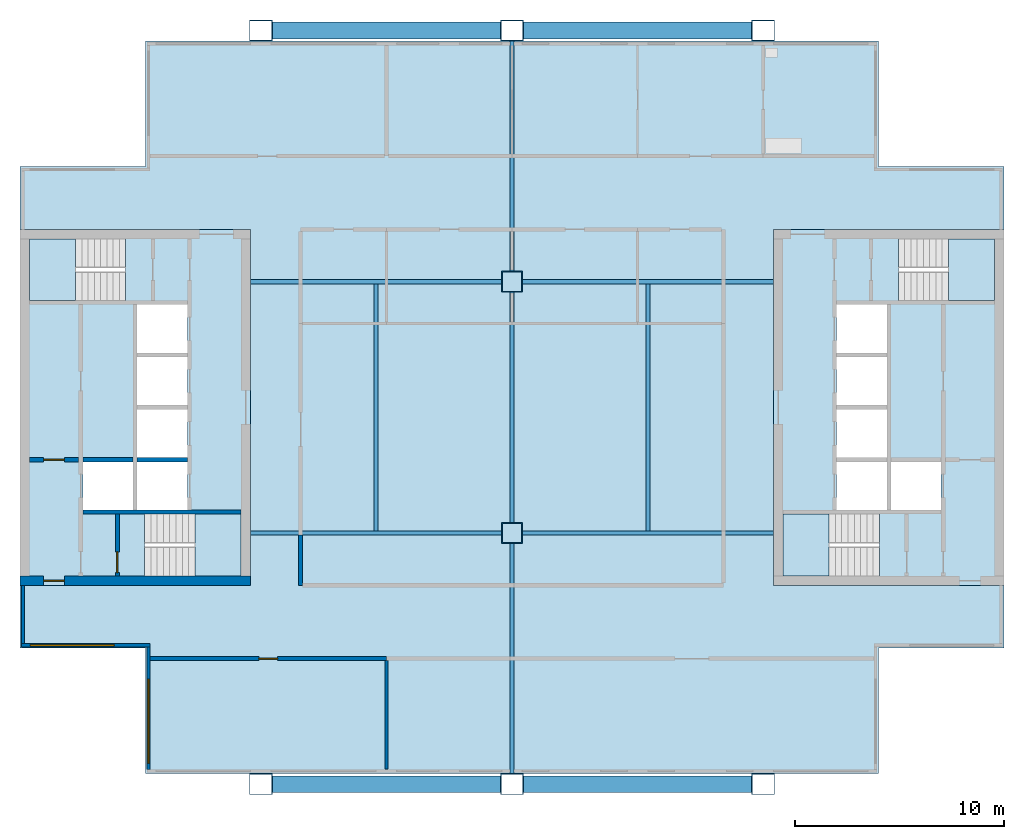
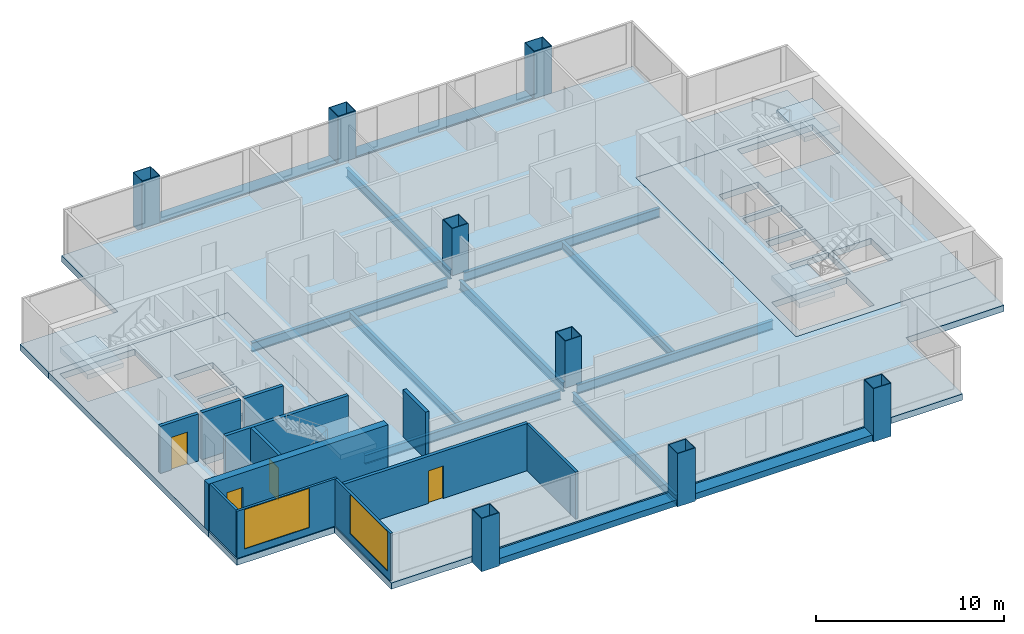
# One storey, part 1 of 7: 13 beams, 12 walls, 8 columns, 7 slabs, 4 doors, 2 windows, 6 openings, 4 elements without a shape of their own.
"""IFC4 building model written with IfcOpenShell, lengths in metres."""

from ifc_helpers import new_model, si_unit, direction, frame, frame_2d, origin, origin_2d, place, context, subcontext, project, spatial, polyline, rectangle, hollow_rectangle, i_section, outline, extrude, material, layer, layer_set, material_profile, profile_set, type_object, element, fill, aggregate, save


model = new_model("IFC4")

# Units and contexts
model_context = context("Model", 3, precision=1e-05, world=origin(), true_north=direction((0.0, 1.0)))
body_context = subcontext(model_context, "Body", "Model", "MODEL_VIEW")
ifc_project = project(units=[si_unit("LENGTHUNIT", "METRE"), si_unit("AREAUNIT", "SQUARE_METRE"), si_unit("VOLUMEUNIT", "CUBIC_METRE"), si_unit("PLANEANGLEUNIT", "RADIAN"), si_unit("MASSUNIT", "GRAM", prefix="KILO")], contexts=[model_context])

# Site, building, storey
site_placement = place(None, origin())
site = spatial("IfcSite", under=ifc_project, at=site_placement, CompositionType="ELEMENT")
building_placement = place(site_placement, origin())
building = spatial("IfcBuilding", under=site, at=building_placement, Name="Kitamizu Gate Tower and Museum", CompositionType="ELEMENT")
storey_placement = place(building_placement, frame((0.0, 0.0, 242.10009765625)))
storey = spatial("IfcBuildingStorey", under=building, at=storey_placement, Name="L65", CompositionType="ELEMENT", Elevation=242.10009765625)

# Columns
ifc_material_1 = material(Name="Steel SM490A bronze coated", Category="steel")
ifc_material_profile_1 = material_profile(ifc_material_1, hollow_rectangle(XDim=1.10009765625, YDim=1.0, WallThickness=0.0400390625, at=origin_2d()), Name="BOX 1100x1000x40")
ifc_profile_set_1 = profile_set([ifc_material_profile_1], Name="Steel SM490A bronze coated")
column_type_1 = type_object("IfcColumnType", Name="Exoskeleton column XC8 BOX 1100x1000x40", PredefinedType="COLUMN", material=ifc_profile_set_1)
for number, where, z_axis, x_axis, name in (
    (1, (24.0, 12.0, -0.400146484375), (0.0, 0.0, 1.0), (1.0, 0.0, 0.0), "Column XC8 3B L65"),
    (2, (24.0, 48.0, -0.400146484375), (0.0, 0.0, 1.0), (1.0, 0.0, 0.0), "Column XC8 3E L65"),
    (3, (36.0, 12.0, -0.400146484375), (0.0, 0.0, 1.0), (1.0, 0.0, 0.0), "Column XC8 4B L65"),
    (4, (36.0, 48.0, -0.400146484375), (0.0, 0.0, 1.0), (1.0, 0.0, 0.0), "Column XC8 4E L65"),
    (5, (48.0, 12.0, -0.400146484375), (0.0, 0.0, 1.0), (1.0, 0.0, 0.0), "Column XC8 5B L65"),
    (6, (48.0, 48.0, -0.400146484375), (0.0, 0.0, 1.0), (1.0, 0.0, 0.0), "Column XC8 5E L65"),
):
    element("IfcColumn", number, at=place(storey_placement, frame(where, z_axis=z_axis, x_axis=x_axis)), inside=storey, type_object=column_type_1, Name=name, PredefinedType="COLUMN", context=body_context, shape_type="SweptSolid", body=[
        extrude(hollow_rectangle(XDim=1.10009765625, YDim=1.0, WallThickness=0.0400390625, at=origin_2d()), origin(), (0.0, 0.0, 1.0), 3.449951171875),
    ])
ifc_material_2 = material(Name="Steel SM490A", Category="steel")
ifc_material_profile_2 = material_profile(ifc_material_2, hollow_rectangle(XDim=1.0, YDim=1.0, WallThickness=0.0400390625, at=origin_2d()), Name="BOX 1000x1000x40")
ifc_profile_set_2 = profile_set([ifc_material_profile_2], Name="Steel SM490A")
column_type_2 = type_object("IfcColumnType", Name="Interior column IC5 BOX 1000x1000x40", PredefinedType="COLUMN", material=ifc_profile_set_2)
for number, where, z_axis, x_axis, name in (
    (7, (36.0, 24.0, 0.0), (0.0, 0.0, 1.0), (1.0, 0.0, 0.0), "Column IC5 4C L65"),
    (8, (36.0, 36.0, 0.0), (0.0, 0.0, 1.0), (1.0, 0.0, 0.0), "Column IC5 4D L65"),
):
    element("IfcColumn", number, at=place(storey_placement, frame(where, z_axis=z_axis, x_axis=x_axis)), inside=storey, type_object=column_type_2, Name=name, PredefinedType="COLUMN", context=body_context, shape_type="SweptSolid", body=[
        extrude(hollow_rectangle(XDim=1.0, YDim=1.0, WallThickness=0.0400390625, at=origin_2d()), origin(), (0.0, 0.0, 1.0), 3.0498046875),
    ])

# Beams
ifc_material_3 = material(Name="Steel SM490A bronze coated", Category="steel")
ifc_material_profile_3 = material_profile(ifc_material_3, hollow_rectangle(XDim=0.800048828125, YDim=0.39990234375, WallThickness=0.0400390625, at=origin_2d()), Name="BOX 800x400x40")
ifc_profile_set_3 = profile_set([ifc_material_profile_3], Name="Steel SM490A bronze coated")
beam_type_1 = type_object("IfcBeamType", Name="Exoskeleton spandrel beam SB1 BOX 800x400x40", PredefinedType="SPANDREL", material=ifc_profile_set_3)
for number, where, z_axis, x_axis, name in (
    (9, (24.550048828125, 12.0, -0.2001953125), (1.0, 0.0, 0.0), (0.0, 1.0, 0.0), "Exoskeleton spandrel beam south 24 L65"),
    (10, (36.550048828125, 12.0, -0.2001953125), (1.0, 0.0, 0.0), (0.0, 1.0, 0.0), "Exoskeleton spandrel beam south 36 L65"),
    (11, (24.550048828125, 48.0, -0.2001953125), (1.0, 0.0, 0.0), (0.0, 1.0, 0.0), "Exoskeleton spandrel beam north 24 L65"),
    (12, (36.550048828125, 48.0, -0.2001953125), (1.0, 0.0, 0.0), (0.0, 1.0, 0.0), "Exoskeleton spandrel beam north 36 L65"),
):
    element("IfcBeam", number, at=place(storey_placement, frame(where, z_axis=z_axis, x_axis=x_axis)), inside=storey, type_object=beam_type_1, Name=name, PredefinedType="SPANDREL", context=body_context, shape_type="SweptSolid", body=[
        extrude(hollow_rectangle(XDim=0.800048828125, YDim=0.39990234375, WallThickness=0.0400390625, at=origin_2d()), origin(), (0.0, 0.0, 1.0), 10.89990234375),
    ])
ifc_material_4 = material(Name="Steel SM490A", Category="steel")
ifc_material_profile_4 = material_profile(ifc_material_4, i_section(OverallWidth=0.199951171875, OverallDepth=0.5, WebThickness=0.010009765625, FlangeThickness=0.01611328125, FilletRadius=0.02001953125, at=origin_2d()), Name="H-500x200x10x16")
ifc_profile_set_4 = profile_set([ifc_material_profile_4], Name="Steel SM490A")
beam_type_2 = type_object("IfcBeamType", Name="Floor beam FB1 H 500x200x10x16", PredefinedType="BEAM", material=ifc_profile_set_4)
for number, where, z_axis, x_axis, name in (
    (13, (29.5, 24.10009765625, -0.650146484375), (0.0, 1.0, 0.0), (-1.0, 0.0, 0.0), "Floor beam FB1 L65-1"),
    (14, (42.5, 24.10009765625, -0.650146484375), (0.0, 1.0, 0.0), (-1.0, 0.0, 0.0), "Floor beam FB1 L65-2"),
):
    element("IfcBeam", number, at=place(storey_placement, frame(where, z_axis=z_axis, x_axis=x_axis)), inside=storey, type_object=beam_type_2, Name=name, PredefinedType="BEAM", context=body_context, shape_type="SweptSolid", body=[
        extrude(i_section(OverallWidth=0.199951171875, OverallDepth=0.5, WebThickness=0.010009765625, FlangeThickness=0.01611328125, FilletRadius=0.02001953125, at=origin_2d()), origin(), (0.0, 0.0, 1.0), 11.7998046875),
    ])
ifc_material_5 = material(Name="Steel SM490A", Category="steel")
ifc_material_profile_5 = material_profile(ifc_material_5, i_section(OverallWidth=0.199951171875, OverallDepth=0.60009765625, WebThickness=0.010986328125, FlangeThickness=0.01708984375, FilletRadius=0.02197265625, at=origin_2d()), Name="H-600x200x11x17")
ifc_profile_set_5 = profile_set([ifc_material_profile_5], Name="Steel SM490A")
beam_type_3 = type_object("IfcBeamType", Name="Floor girder FG1 H 600x200x11x17", PredefinedType="BEAM", material=ifc_profile_set_5)
for number, where, z_axis, x_axis, name in (
    (15, (36.0, 12.5, -0.7001953125), (0.0, 1.0, 0.0), (-1.0, 0.0, 0.0), "Floor girder FG1 x36 L65"),
    (16, (36.0, 24.5, -0.7001953125), (0.0, 1.0, 0.0), (-1.0, 0.0, 0.0), "Floor girder FG1 x36 L65"),
    (17, (36.0, 36.5, -0.7001953125), (0.0, 1.0, 0.0), (-1.0, 0.0, 0.0), "Floor girder FG1 x36 L65"),
):
    element("IfcBeam", number, at=place(storey_placement, frame(where, z_axis=z_axis, x_axis=x_axis)), inside=storey, type_object=beam_type_3, Name=name, PredefinedType="BEAM", context=body_context, shape_type="SweptSolid", body=[
        extrude(i_section(OverallWidth=0.199951171875, OverallDepth=0.60009765625, WebThickness=0.010986328125, FlangeThickness=0.01708984375, FilletRadius=0.02197265625, at=origin_2d()), origin(), (0.0, 0.0, 1.0), 11.0),
    ])
for number, where, z_axis, x_axis, name in (
    (18, (23.5, 24.0, -0.7001953125), (1.0, 0.0, 0.0), (0.0, 1.0, 0.0), "Floor girder FG1 y24 L65"),
    (19, (36.5, 24.0, -0.7001953125), (1.0, 0.0, 0.0), (0.0, 1.0, 0.0), "Floor girder FG1 y24 L65"),
    (20, (23.5, 36.0, -0.7001953125), (1.0, 0.0, 0.0), (0.0, 1.0, 0.0), "Floor girder FG1 y36 L65"),
    (21, (36.5, 36.0, -0.7001953125), (1.0, 0.0, 0.0), (0.0, 1.0, 0.0), "Floor girder FG1 y36 L65"),
):
    element("IfcBeam", number, at=place(storey_placement, frame(where, z_axis=z_axis, x_axis=x_axis)), inside=storey, type_object=beam_type_3, Name=name, PredefinedType="BEAM", context=body_context, shape_type="SweptSolid", body=[
        extrude(i_section(OverallWidth=0.199951171875, OverallDepth=0.60009765625, WebThickness=0.010986328125, FlangeThickness=0.01708984375, FilletRadius=0.02197265625, at=origin_2d()), origin(), (0.0, 0.0, 1.0), 12.0),
    ])

# Slabs
ifc_material_6 = material(Name="Concrete Fc36", Category="concrete")
ifc_layer_1 = layer(ifc_material_6, 0.39990234375)
ifc_layer_set_1 = layer_set([ifc_layer_1], Name="Concrete Fc36")
slab_type_1 = type_object("IfcSlabType", Name="Core floor slab 400", PredefinedType="FLOOR", material=ifc_layer_set_1)
slab_1_placement = place(storey_placement, frame((0.0, 0.0, -0.400146484375)))
element("IfcSlab", 22, at=slab_1_placement, inside=storey, type_object=slab_type_1, Name="Core floor slab W", PredefinedType="FLOOR", context=body_context, shape_type="SweptSolid", body=[
    extrude(outline(polyline([(12.5, 21.5), (23.5, 21.5), (23.5, 38.5), (12.5, 38.5), (12.5, 21.5)]), holes=[polyline([(15.5, 25.10009765625), (17.89990234375, 25.10009765625), (17.89990234375, 27.39990234375), (15.5, 27.39990234375), (15.5, 25.10009765625)]), polyline([(18.10009765625, 25.10009765625), (20.5, 25.10009765625), (20.5, 27.39990234375), (18.10009765625, 27.39990234375), (18.10009765625, 25.10009765625)]), polyline([(18.10009765625, 27.60009765625), (20.5, 27.60009765625), (20.5, 29.89990234375), (18.10009765625, 29.89990234375), (18.10009765625, 27.60009765625)]), polyline([(18.10009765625, 30.10009765625), (20.5, 30.10009765625), (20.5, 32.39990234375), (18.10009765625, 32.39990234375), (18.10009765625, 30.10009765625)]), polyline([(18.10009765625, 32.60009765625), (20.5, 32.60009765625), (20.5, 34.89990234375), (18.10009765625, 34.89990234375), (18.10009765625, 32.60009765625)]), polyline([(18.45068359375, 21.949951171875), (23.050048828125, 21.949951171875), (23.050048828125, 24.89990234375), (18.45068359375, 24.89990234375), (18.45068359375, 21.949951171875)]), polyline([(12.949951171875, 35.10009765625), (17.54931640625, 35.10009765625), (17.54931640625, 38.050048828125), (12.949951171875, 38.050048828125), (12.949951171875, 35.10009765625)])]), origin(), (0.0, 0.0, 1.0), 0.400146484375),
])
slab_2_placement = place(storey_placement, frame((0.0, 0.0, -0.400146484375)))
element("IfcSlab", 23, at=slab_2_placement, inside=storey, type_object=slab_type_1, Name="Core floor slab E", PredefinedType="FLOOR", context=body_context, shape_type="SweptSolid", body=[
    extrude(outline(polyline([(48.5, 21.5), (59.5, 21.5), (59.5, 38.5), (48.5, 38.5), (48.5, 21.5)]), holes=[polyline([(54.10009765625, 25.10009765625), (56.5, 25.10009765625), (56.5, 27.39990234375), (54.10009765625, 27.39990234375), (54.10009765625, 25.10009765625)]), polyline([(51.5, 25.10009765625), (53.89990234375, 25.10009765625), (53.89990234375, 27.39990234375), (51.5, 27.39990234375), (51.5, 25.10009765625)]), polyline([(51.5, 27.60009765625), (53.89990234375, 27.60009765625), (53.89990234375, 29.89990234375), (51.5, 29.89990234375), (51.5, 27.60009765625)]), polyline([(51.5, 30.10009765625), (53.89990234375, 30.10009765625), (53.89990234375, 32.39990234375), (51.5, 32.39990234375), (51.5, 30.10009765625)]), polyline([(51.5, 32.60009765625), (53.89990234375, 32.60009765625), (53.89990234375, 34.89990234375), (51.5, 34.89990234375), (51.5, 32.60009765625)]), polyline([(48.949951171875, 21.949951171875), (53.54931640625, 21.949951171875), (53.54931640625, 24.89990234375), (48.949951171875, 24.89990234375), (48.949951171875, 21.949951171875)]), polyline([(54.45068359375, 35.10009765625), (59.050048828125, 35.10009765625), (59.050048828125, 38.050048828125), (54.45068359375, 38.050048828125), (54.45068359375, 35.10009765625)])]), origin(), (0.0, 0.0, 1.0), 0.400146484375),
])
ifc_material_7 = material(Name="Concrete Fc36", Category="concrete")
ifc_layer_2 = layer(ifc_material_7, 0.39990234375)
ifc_layer_set_2 = layer_set([ifc_layer_2], Name="Concrete Fc36")
slab_type_2 = type_object("IfcSlabType", Name="Post tensioned flat slab 400", PredefinedType="FLOOR", material=ifc_layer_set_2)
slab_3_placement = place(storey_placement, frame((0.0, 0.0, -0.400146484375)))
element("IfcSlab", 24, at=slab_3_placement, inside=storey, type_object=slab_type_2, Name="Floor slab L65-1", PredefinedType="FLOOR", context=body_context, shape_type="SweptSolid", body=[
    extrude(outline(polyline([(12.5, 18.5), (12.5, 21.5), (23.5, 21.5), (23.5, 38.5), (12.5, 38.5), (12.5, 41.5), (18.5, 41.5), (18.5, 47.5), (53.5, 47.5), (53.5, 41.5), (59.5, 41.5), (59.5, 38.5), (48.5, 38.5), (48.5, 21.5), (59.5, 21.5), (59.5, 18.5), (53.5, 18.5), (53.5, 12.5), (18.5, 12.5), (18.5, 18.5), (12.5, 18.5)])), origin(), (0.0, 0.0, 1.0), 0.400146484375),
])

# Stair, slab
ifc_material_8 = material(Name="Concrete Fc42", Category="concrete")
stair_type = type_object("IfcStairType", Name="Exit stair 1375 wide 192 rise 300 going", PredefinedType="HALF_TURN_STAIR", material=ifc_material_8)
stair_1_placement = place(storey_placement, origin())
stair_1 = element("IfcStair", 25, at=stair_1_placement, inside=storey, type_object=stair_type, Name="Exit stair ST1", PredefinedType="HALF_TURN_STAIR")
ifc_material_9 = material(Name="Concrete Fc42", Category="concrete")
ifc_layer_3 = layer(ifc_material_9, 0.300048828125)
ifc_layer_set_3 = layer_set([ifc_layer_3], Name="Concrete Fc42")
slab_type_3 = type_object("IfcSlabType", Name="Stair landing 300", PredefinedType="LANDING", material=ifc_layer_set_3)
slab_4_placement = place(storey_placement, frame((0.0, 0.0, 1.4248046875)))
slab_4 = element("IfcSlab", 26, at=slab_4_placement, type_object=slab_type_3, Name="ST1 landing 1", PredefinedType="LANDING", context=body_context, shape_type="SweptSolid", body=[
    extrude(outline(polyline([(20.85009765625, 21.949951171875), (23.050048828125, 21.949951171875), (23.050048828125, 24.89990234375), (20.85009765625, 24.89990234375), (20.85009765625, 21.949951171875)])), origin(), (0.0, 0.0, 1.0), 0.300048828125),
])
aggregate(stair_1, [slab_4])

stair_2_placement = place(storey_placement, origin())
stair_2 = element("IfcStair", 27, at=stair_2_placement, inside=storey, type_object=stair_type, Name="Exit stair ST2", PredefinedType="HALF_TURN_STAIR")
slab_5_placement = place(storey_placement, frame((0.0, 0.0, 1.4248046875)))
slab_5 = element("IfcSlab", 28, at=slab_5_placement, type_object=slab_type_3, Name="ST2 landing 1", PredefinedType="LANDING", context=body_context, shape_type="SweptSolid", body=[
    extrude(outline(polyline([(12.949951171875, 35.10009765625), (15.14990234375, 35.10009765625), (15.14990234375, 38.050048828125), (12.949951171875, 38.050048828125), (12.949951171875, 35.10009765625)])), origin(), (0.0, 0.0, 1.0), 0.300048828125),
])
aggregate(stair_2, [slab_5])

stair_3_placement = place(storey_placement, origin())
stair_3 = element("IfcStair", 29, at=stair_3_placement, inside=storey, type_object=stair_type, Name="Exit stair ST3", PredefinedType="HALF_TURN_STAIR")
slab_6_placement = place(storey_placement, frame((0.0, 0.0, 1.4248046875)))
slab_6 = element("IfcSlab", 30, at=slab_6_placement, type_object=slab_type_3, Name="ST3 landing 1", PredefinedType="LANDING", context=body_context, shape_type="SweptSolid", body=[
    extrude(outline(polyline([(48.949951171875, 21.949951171875), (51.14990234375, 21.949951171875), (51.14990234375, 24.89990234375), (48.949951171875, 24.89990234375), (48.949951171875, 21.949951171875)])), origin(), (0.0, 0.0, 1.0), 0.300048828125),
])
aggregate(stair_3, [slab_6])

stair_4_placement = place(storey_placement, origin())
stair_4 = element("IfcStair", 31, at=stair_4_placement, inside=storey, type_object=stair_type, Name="Exit stair ST4", PredefinedType="HALF_TURN_STAIR")
slab_7_placement = place(storey_placement, frame((0.0, 0.0, 1.4248046875)))
slab_7 = element("IfcSlab", 32, at=slab_7_placement, type_object=slab_type_3, Name="ST4 landing 1", PredefinedType="LANDING", context=body_context, shape_type="SweptSolid", body=[
    extrude(outline(polyline([(56.85009765625, 35.10009765625), (59.050048828125, 35.10009765625), (59.050048828125, 38.050048828125), (56.85009765625, 38.050048828125), (56.85009765625, 35.10009765625)])), origin(), (0.0, 0.0, 1.0), 0.300048828125),
])
aggregate(stair_4, [slab_7])

# Wall, opening, door
ifc_material_10 = material(Name="Concrete Fc42", Category="concrete")
ifc_layer_4 = layer(ifc_material_10, 0.449951171875)
ifc_layer_set_4 = layer_set([ifc_layer_4], Name="Concrete Fc42")
wall_type_1 = type_object("IfcWallType", Name="Core wall 450", PredefinedType="SHEAR", material=ifc_layer_set_4)
wall_1_placement = place(storey_placement, frame((12.5, 21.72509765625, 0.0), z_axis=(0.0, 0.0, 1.0), x_axis=(1.0, 0.0, 0.0)))
wall_1 = element("IfcWall", 33, at=wall_1_placement, inside=storey, type_object=wall_type_1, Name="Core wall WS", PredefinedType="SHEAR", context=body_context, shape_type="SweptSolid", body=[
    extrude(rectangle(XDim=11.0, YDim=0.449951171875, at=frame_2d((5.5, 0.0))), origin(), (0.0, 0.0, 1.0), 3.0498046875),
])
opening_1_placement = place(wall_1_placement, frame((1.125, 0.0, 0.0)))
opening_1 = element("IfcOpeningElement", 34, at=opening_1_placement, cuts=wall_1, Name="Opening L65-018", PredefinedType="OPENING", context=body_context, shape_type="SweptSolid", body=[
    extrude(rectangle(XDim=1.0, YDim=2.10009765625, at=frame_2d((0.5, 1.050048828125))), frame((0.0, 0.23486328125, 0.0), z_axis=(0.0, -1.0, 0.0), x_axis=(1.0, 0.0, 0.0)), (0.0, 0.0, 1.0), 0.469970703125),
])
ifc_material_11 = material(Name="Hollow metal door set")
door_type_1 = type_object("IfcDoorType", Name="Fire door 1000", OperationType="NOTDEFINED", PredefinedType="DOOR", material=ifc_material_11)
door_1_placement = place(opening_1_placement, origin())
door_1 = element("IfcDoor", 35, at=door_1_placement, inside=storey, type_object=door_type_1, Name="Fire-fighting lobby door L65-018", OperationType="SINGLE_SWING_LEFT", OverallHeight=2.10009765625, OverallWidth=1.0, PredefinedType="DOOR", context=body_context, shape_type="SweptSolid", body=[
    extrude(rectangle(XDim=1.0, YDim=2.10009765625, at=frame_2d((0.5, 1.050048828125))), frame((0.0, 0.02490234375, 0.0), z_axis=(0.0, -1.0, 0.0), x_axis=(1.0, 0.0, 0.0)), (0.0, 0.0, 1.0), 0.050048828125),
])
fill(opening_1, door_1)

# Wall
ifc_material_12 = material(Name="Gypsum board on galvanised stud")
ifc_layer_5 = layer(ifc_material_12, 0.14990234375)
ifc_layer_set_5 = layer_set([ifc_layer_5], Name="Gypsum board on galvanised stud")
wall_type_2 = type_object("IfcWallType", Name="Partition 150", PredefinedType="PARTITIONING", material=ifc_layer_set_5)
wall_2_placement = place(storey_placement, frame((30.0, 12.719970703125, 0.0), z_axis=(0.0, 0.0, 1.0), x_axis=(0.0, 1.0, 0.0)))
element("IfcWall", 36, at=wall_2_placement, inside=storey, type_object=wall_type_2, Name="Partition L65-010", PredefinedType="PARTITIONING", context=body_context, shape_type="SweptSolid", body=[
    extrude(rectangle(XDim=5.179931640625, YDim=0.14990234375, at=frame_2d((2.58984375, 0.0))), origin(), (0.0, 0.0, 1.0), 3.0498046875),
])

# Wall, opening, door
ifc_material_13 = material(Name="Gypsum board on galvanised stud")
ifc_layer_6 = layer(ifc_material_13, 0.199951171875)
ifc_layer_set_6 = layer_set([ifc_layer_6], Name="Gypsum board on galvanised stud")
wall_type_3 = type_object("IfcWallType", Name="Partition 200", PredefinedType="PARTITIONING", material=ifc_layer_set_6)
wall_3_placement = place(storey_placement, frame((30.0, 18.0, 0.0), z_axis=(0.0, 0.0, 1.0), x_axis=(-1.0, 0.0, 0.0)))
wall_3 = element("IfcWall", 37, at=wall_3_placement, inside=storey, type_object=wall_type_3, Name="Partition L65-011", PredefinedType="PARTITIONING", context=body_context, shape_type="SweptSolid", body=[
    extrude(rectangle(XDim=11.280029296875, YDim=0.199951171875, at=frame_2d((5.64013671875, 0.0))), origin(), (0.0, 0.0, 1.0), 3.0498046875),
])
opening_2_placement = place(wall_3_placement, frame((5.18994140625, 0.0, 0.0)))
opening_2 = element("IfcOpeningElement", 38, at=opening_2_placement, cuts=wall_3, Name="Opening L65-006", PredefinedType="OPENING", context=body_context, shape_type="SweptSolid", body=[
    extrude(rectangle(XDim=0.89990234375, YDim=2.10009765625, at=frame_2d((0.449951171875, 1.050048828125))), frame((0.0, 0.10986328125, 0.0), z_axis=(0.0, -1.0, 0.0), x_axis=(1.0, 0.0, 0.0)), (0.0, 0.0, 1.0), 0.219970703125),
])
ifc_material_14 = material(Name="Timber door set", Category="wood")
door_type_2 = type_object("IfcDoorType", Name="Room door 900", OperationType="NOTDEFINED", PredefinedType="DOOR", material=ifc_material_14)
door_2_placement = place(opening_2_placement, origin())
door_2 = element("IfcDoor", 39, at=door_2_placement, inside=storey, type_object=door_type_2, Name="Door L65-006", OperationType="SINGLE_SWING_LEFT", OverallHeight=2.10009765625, OverallWidth=0.89990234375, PredefinedType="DOOR", context=body_context, shape_type="SweptSolid", body=[
    extrude(rectangle(XDim=0.89990234375, YDim=2.10009765625, at=frame_2d((0.449951171875, 1.050048828125))), frame((0.0, 0.02490234375, 0.0), z_axis=(0.0, -1.0, 0.0), x_axis=(1.0, 0.0, 0.0)), (0.0, 0.0, 1.0), 0.050048828125),
])
fill(opening_2, door_2)

# Walls
wall_4_placement = place(storey_placement, frame((25.89990234375, 23.89990234375, 0.0), z_axis=(0.0, 0.0, 1.0), x_axis=(0.0, -1.0, 0.0)))
element("IfcWall", 40, at=wall_4_placement, inside=storey, type_object=wall_type_3, Name="Partition L65-015", PredefinedType="PARTITIONING", context=body_context, shape_type="SweptSolid", body=[
    extrude(rectangle(XDim=2.39990234375, YDim=0.199951171875, at=frame_2d((1.199951171875, 0.0))), origin(), (0.0, 0.0, 1.0), 3.0498046875),
])
ifc_material_15 = material(Name="Concrete Fc42", Category="concrete")
ifc_layer_7 = layer(ifc_material_15, 0.199951171875)
ifc_layer_set_7 = layer_set([ifc_layer_7], Name="Concrete Fc42")
wall_type_4 = type_object("IfcWallType", Name="Shaft wall 200", PredefinedType="SOLIDWALL", material=ifc_layer_set_7)
wall_5_placement = place(storey_placement, frame((15.5, 25.0, 0.0), z_axis=(0.0, 0.0, 1.0), x_axis=(1.0, 0.0, 0.0)))
element("IfcWall", 41, at=wall_5_placement, inside=storey, type_object=wall_type_4, Name="Shaft wall WSB", PredefinedType="SOLIDWALL", context=body_context, shape_type="SweptSolid", body=[
    extrude(rectangle(XDim=7.550048828125, YDim=0.199951171875, at=frame_2d((3.77490234375, 0.0))), origin(), (0.0, 0.0, 1.0), 3.0498046875),
])

# Wall, opening, door
wall_6_placement = place(storey_placement, frame((12.949951171875, 27.5, 0.0), z_axis=(0.0, 0.0, 1.0), x_axis=(1.0, 0.0, 0.0)))
wall_6 = element("IfcWall", 42, at=wall_6_placement, inside=storey, type_object=wall_type_4, Name="Shaft wall WFFN", PredefinedType="SOLIDWALL", context=body_context, shape_type="SweptSolid", body=[
    extrude(rectangle(XDim=2.35009765625, YDim=0.199951171875, at=frame_2d((1.175048828125, 0.0))), origin(), (0.0, 0.0, 1.0), 3.0498046875),
])
opening_3_placement = place(wall_6_placement, frame((0.675048828125, 0.0, 0.0)))
opening_3 = element("IfcOpeningElement", 43, at=opening_3_placement, cuts=wall_6, Name="Opening L65-017", PredefinedType="OPENING", context=body_context, shape_type="SweptSolid", body=[
    extrude(rectangle(XDim=1.0, YDim=2.10009765625, at=frame_2d((0.5, 1.050048828125))), frame((0.0, 0.10986328125, 0.0), z_axis=(0.0, -1.0, 0.0), x_axis=(1.0, 0.0, 0.0)), (0.0, 0.0, 1.0), 0.219970703125),
])
door_3_placement = place(opening_3_placement, frame((1.0, 0.0, 0.0), x_axis=(-1.0, 0.0, 0.0)))
door_3 = element("IfcDoor", 44, at=door_3_placement, inside=storey, type_object=door_type_1, Name="Fire-fighting lobby door L65-017", OperationType="SINGLE_SWING_LEFT", OverallHeight=2.10009765625, OverallWidth=1.0, PredefinedType="DOOR", context=body_context, shape_type="SweptSolid", body=[
    extrude(rectangle(XDim=1.0, YDim=2.10009765625, at=frame_2d((0.5, 1.050048828125))), frame((0.0, 0.02490234375, 0.0), z_axis=(0.0, -1.0, 0.0), x_axis=(1.0, 0.0, 0.0)), (0.0, 0.0, 1.0), 0.050048828125),
])
fill(opening_3, door_3)

wall_7_placement = place(storey_placement, frame((17.14990234375, 21.949951171875, 0.0), z_axis=(0.0, 0.0, 1.0), x_axis=(0.0, 1.0, 0.0)))
wall_7 = element("IfcWall", 45, at=wall_7_placement, inside=storey, type_object=wall_type_4, Name="Shaft wall WSZ", PredefinedType="SOLIDWALL", context=body_context, shape_type="SweptSolid", body=[
    extrude(rectangle(XDim=2.949951171875, YDim=0.199951171875, at=frame_2d((1.47509765625, 0.0))), origin(), (0.0, 0.0, 1.0), 3.0498046875),
])
opening_4_placement = place(wall_7_placement, frame((0.14990234375, 0.0, 0.0)))
opening_4 = element("IfcOpeningElement", 46, at=opening_4_placement, cuts=wall_7, Name="Opening L65-013", PredefinedType="OPENING", context=body_context, shape_type="SweptSolid", body=[
    extrude(rectangle(XDim=1.0, YDim=2.10009765625, at=frame_2d((0.5, 1.050048828125))), frame((0.0, 0.10986328125, 0.0), z_axis=(0.0, -1.0, 0.0), x_axis=(1.0, 0.0, 0.0)), (0.0, 0.0, 1.0), 0.219970703125),
])
door_4_placement = place(opening_4_placement, frame((1.0, 0.0, 0.0), x_axis=(-1.0, 0.0, 0.0)))
door_4 = element("IfcDoor", 47, at=door_4_placement, inside=storey, type_object=door_type_1, Name="Stair door L65-013", OperationType="SINGLE_SWING_LEFT", OverallHeight=2.10009765625, OverallWidth=1.0, PredefinedType="DOOR", context=body_context, shape_type="SweptSolid", body=[
    extrude(rectangle(XDim=1.0, YDim=2.10009765625, at=frame_2d((0.5, 1.050048828125))), frame((0.0, 0.02490234375, 0.0), z_axis=(0.0, -1.0, 0.0), x_axis=(1.0, 0.0, 0.0)), (0.0, 0.0, 1.0), 0.050048828125),
])
fill(opening_4, door_4)

# Walls
for number, where, z_axis, x_axis, name in (
    (48, (15.5, 27.5, 0.0), (0.0, 0.0, 1.0), (1.0, 0.0, 0.0), "Shaft wall WDVW0"),
    (49, (18.10009765625, 27.5, 0.0), (0.0, 0.0, 1.0), (1.0, 0.0, 0.0), "Shaft wall WDVE0"),
):
    element("IfcWall", number, at=place(storey_placement, frame(where, z_axis=z_axis, x_axis=x_axis)), inside=storey, type_object=wall_type_4, Name=name, PredefinedType="SOLIDWALL", context=body_context, shape_type="SweptSolid", body=[
        extrude(rectangle(XDim=2.39990234375, YDim=0.199951171875, at=frame_2d((1.199951171875, 0.0))), origin(), (0.0, 0.0, 1.0), 3.0498046875),
    ])
ifc_material_16 = material(Name="Bronze anodised aluminium frame with insulated spandrel and tinted glass", Category="aluminium")
ifc_layer_8 = layer(ifc_material_16, 0.14990234375)
ifc_layer_set_8 = layer_set([ifc_layer_8], Name="Bronze anodised aluminium frame with insulated spandrel and tinted glass")
wall_type_5 = type_object("IfcWallType", Name="WINDOW WALL 150 BRONZE FRAME EI 30", PredefinedType="ELEMENTEDWALL", material=ifc_layer_set_8)
wall_8_placement = place(storey_placement, frame((12.635009765625, 18.7099609375, 0.0), z_axis=(0.0, 0.0, 1.0), x_axis=(0.0, 1.0, 0.0)))
element("IfcWall", 50, at=wall_8_placement, inside=storey, type_object=wall_type_5, Name="Window wall west L65", PredefinedType="ELEMENTEDWALL", context=body_context, shape_type="SweptSolid", body=[
    extrude(rectangle(XDim=2.7900390625, YDim=0.14990234375, at=frame_2d((1.39501953125, 0.0))), origin(), (0.0, 0.0, 1.0), 3.0498046875),
])

# Wall, opening, window
wall_9_placement = place(storey_placement, frame((12.56005859375, 18.635009765625, 0.0), z_axis=(0.0, 0.0, 1.0), x_axis=(1.0, 0.0, 0.0)))
wall_9 = element("IfcWall", 51, at=wall_9_placement, inside=storey, type_object=wall_type_5, Name="Window wall south L65", PredefinedType="ELEMENTEDWALL", context=body_context, shape_type="SweptSolid", body=[
    extrude(rectangle(XDim=6.14990234375, YDim=0.14990234375, at=frame_2d((3.074951171875, 0.0))), origin(), (0.0, 0.0, 1.0), 3.0498046875),
])
opening_5_placement = place(wall_9_placement, frame((0.43994140625, 0.0, 0.449951171875)))
opening_5 = element("IfcOpeningElement", 52, at=opening_5_placement, cuts=wall_9, Name="Opening W16", PredefinedType="OPENING", context=body_context, shape_type="SweptSolid", body=[
    extrude(rectangle(XDim=4.0, YDim=2.550048828125, at=frame_2d((2.0, 1.27490234375))), frame((0.0, 0.0849609375, 0.0), z_axis=(0.0, -1.0, 0.0), x_axis=(1.0, 0.0, 0.0)), (0.0, 0.0, 1.0), 0.169921875),
])
ifc_material_17 = material(Name="Bronze anodised aluminium frame, tinted triple glazing", Category="aluminium")
window_type = type_object("IfcWindowType", Name="WINDOW 4000 x 2550 SILL 450", PartitioningType="SINGLE_PANEL", PredefinedType="WINDOW", material=ifc_material_17)
window_1_placement = place(opening_5_placement, origin())
window_1 = element("IfcWindow", 53, at=window_1_placement, inside=storey, type_object=window_type, Name="Window W16 L65", OverallHeight=2.550048828125, OverallWidth=4.0, PartitioningType="SINGLE_PANEL", PredefinedType="WINDOW", context=body_context, shape_type="SweptSolid", body=[
    extrude(rectangle(XDim=4.0, YDim=2.550048828125, at=frame_2d((2.0, 1.27490234375))), frame((0.0, 0.030029296875, 0.0), z_axis=(0.0, -1.0, 0.0), x_axis=(1.0, 0.0, 0.0)), (0.0, 0.0, 1.0), 0.06005859375),
])
fill(opening_5, window_1)

wall_10_placement = place(storey_placement, frame((18.635009765625, 12.7099609375, 0.0), z_axis=(0.0, 0.0, 1.0), x_axis=(0.0, 1.0, 0.0)))
wall_10 = element("IfcWall", 54, at=wall_10_placement, inside=storey, type_object=wall_type_5, Name="Window wall west L65", PredefinedType="ELEMENTEDWALL", context=body_context, shape_type="SweptSolid", body=[
    extrude(rectangle(XDim=5.85009765625, YDim=0.14990234375, at=frame_2d((2.925048828125, 0.0))), origin(), (0.0, 0.0, 1.0), 3.0498046875),
])
opening_6_placement = place(wall_10_placement, frame((0.2900390625, 0.0, 0.449951171875)))
opening_6 = element("IfcOpeningElement", 55, at=opening_6_placement, cuts=wall_10, Name="Opening W16", PredefinedType="OPENING", context=body_context, shape_type="SweptSolid", body=[
    extrude(rectangle(XDim=4.0, YDim=2.550048828125, at=frame_2d((2.0, 1.27490234375))), frame((0.0, 0.0849609375, 0.0), z_axis=(0.0, -1.0, 0.0), x_axis=(1.0, 0.0, 0.0)), (0.0, 0.0, 1.0), 0.169921875),
])
window_2_placement = place(opening_6_placement, origin())
window_2 = element("IfcWindow", 56, at=window_2_placement, inside=storey, type_object=window_type, Name="Window W16 L65", OverallHeight=2.550048828125, OverallWidth=4.0, PartitioningType="SINGLE_PANEL", PredefinedType="WINDOW", context=body_context, shape_type="SweptSolid", body=[
    extrude(rectangle(XDim=4.0, YDim=2.550048828125, at=frame_2d((2.0, 1.27490234375))), frame((0.0, 0.030029296875, 0.0), z_axis=(0.0, -1.0, 0.0), x_axis=(1.0, 0.0, 0.0)), (0.0, 0.0, 1.0), 0.06005859375),
])
fill(opening_6, window_2)

save(model, "model.ifc")
